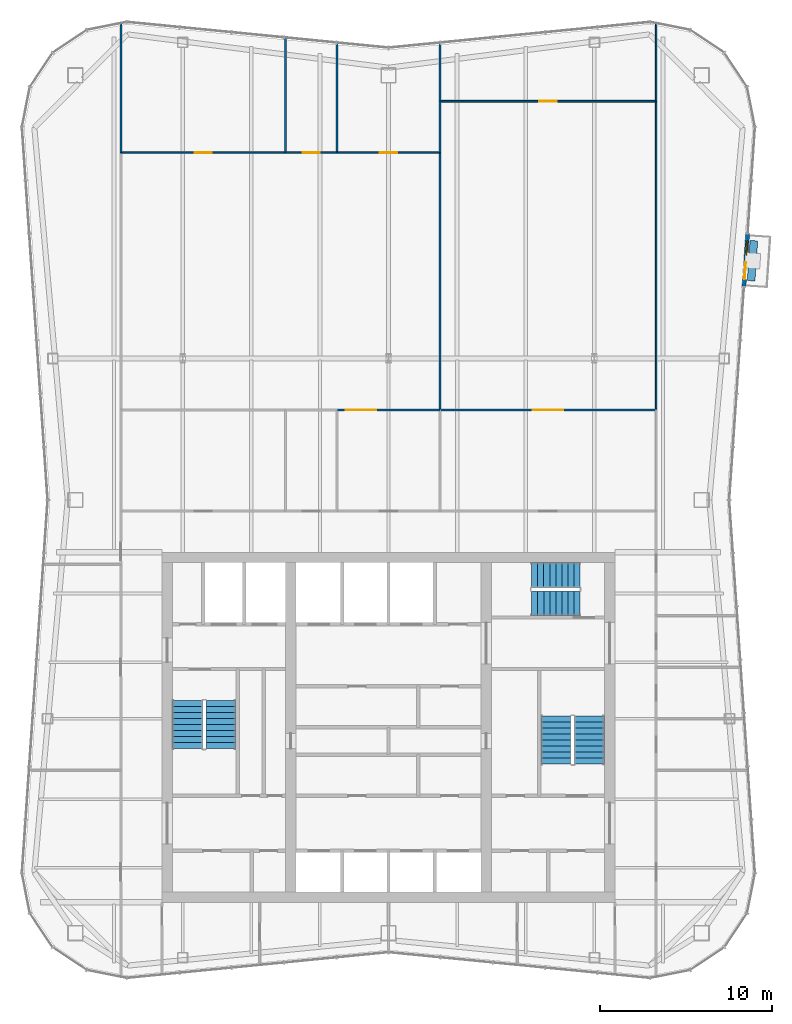
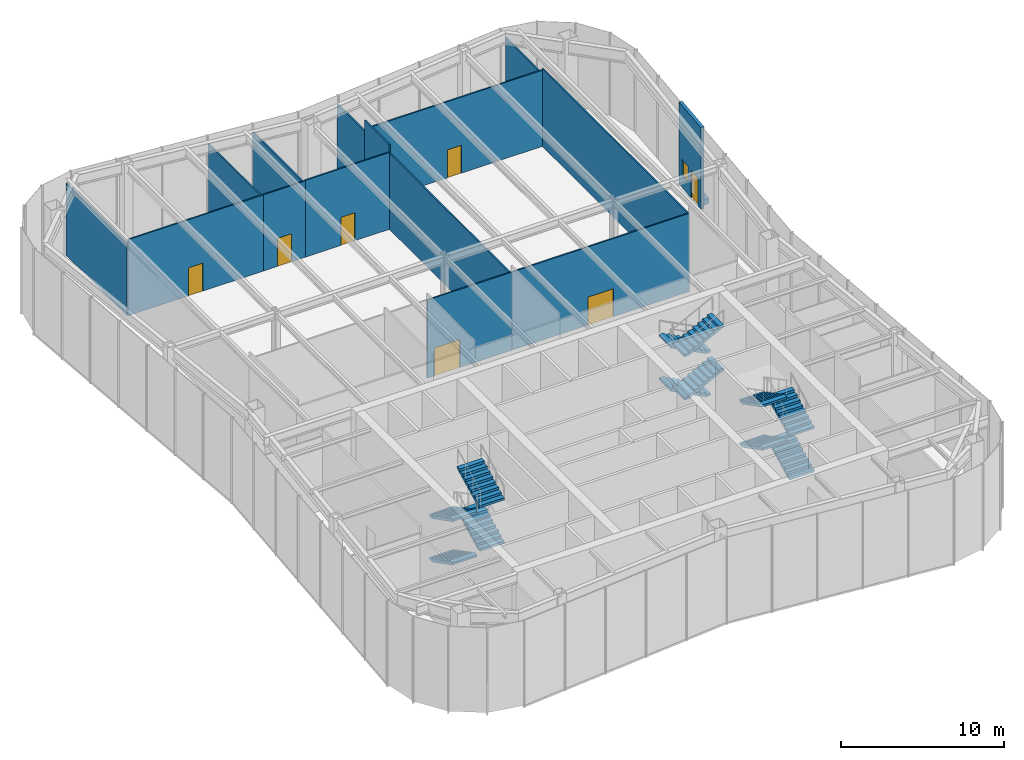
# One storey, part 12 of 15: 16 walls, 12 stair flights, 7 doors, 1 window, 8 openings, 3 elements without a shape of their own.
"""IFC4 building model written with IfcOpenShell, lengths in metres."""

from ifc_helpers import new_model, si_unit, direction, frame, frame_2d, origin, place, context, subcontext, project, spatial, polyline, rectangle, outline, extrude, material, layer, layer_set, type_object, element, fill, aggregate, save


model = new_model("IFC4")

# Units and contexts
model_context = context("Model", 3, precision=1e-05, world=origin(), true_north=direction((0.0, 1.0)))
body_context = subcontext(model_context, "Body", "Model", "MODEL_VIEW")
ifc_project = project(units=[si_unit("LENGTHUNIT", "METRE"), si_unit("AREAUNIT", "SQUARE_METRE"), si_unit("VOLUMEUNIT", "CUBIC_METRE"), si_unit("PLANEANGLEUNIT", "RADIAN"), si_unit("MASSUNIT", "GRAM", prefix="KILO")], contexts=[model_context])

# Site, building, storey
site_placement = place(None, origin())
site = spatial("IfcSite", under=ifc_project, at=site_placement, CompositionType="ELEMENT")
building_placement = place(site_placement, origin())
building = spatial("IfcBuilding", under=site, at=building_placement, Name="Verdant Reach Tower", CompositionType="ELEMENT")
storey_placement = place(building_placement, frame((0.0, 0.0, 334.0)))
storey = spatial("IfcBuildingStorey", under=building, at=storey_placement, Name="L77", CompositionType="ELEMENT", Elevation=334.0)

# Wall, openings, door, window
ifc_material_1 = material(Name="Insulated bronze aluminium panel wall", Category="aluminium")
ifc_layer_1 = layer(ifc_material_1, 0.219970703125)
ifc_layer_set_1 = layer_set([ifc_layer_1], Name="EN-INFILL WALL")
wall_type_1 = type_object("IfcWallType", Name="EN-INFILL WALL", PredefinedType="SOLIDWALL", material=ifc_layer_set_1)
wall_1_placement = place(storey_placement, frame((20.724365234375, 53.70556640625, 0.0), z_axis=(0.0, 0.0, 1.0), x_axis=(0.068802091615, 0.997630328423, 0.0)))
wall_1 = element("IfcWall", 1, at=wall_1_placement, inside=storey, type_object=wall_type_1, Name="External infill wall, balcony bay 1, L77", PredefinedType="SOLIDWALL", context=body_context, shape_type="SweptSolid", body=[
    extrude(rectangle(XDim=3.044677734375, YDim=0.22998046875, at=frame_2d((1.5224609375, 0.0))), origin(), (0.0, 0.0, 1.0), 6.14990234375),
])
opening_1_placement = place(wall_1_placement, frame((0.414794921875, 0.0, 0.0)))
opening_1 = element("IfcOpeningElement", 2, at=opening_1_placement, cuts=wall_1, Name="Opening BD1", PredefinedType="OPENING", context=body_context, shape_type="SweptSolid", body=[
    extrude(rectangle(XDim=1.0, YDim=2.10009765625, at=frame_2d((0.5, 1.050048828125))), frame((0.0, 0.125, 0.0), z_axis=(0.0, -1.0, 0.0), x_axis=(1.0, 0.0, 0.0)), (0.0, 0.0, 1.0), 0.25),
])
opening_2_placement = place(wall_1_placement, frame((1.82958984375, 0.0, 0.89990234375)))
opening_2 = element("IfcOpeningElement", 3, at=opening_2_placement, cuts=wall_1, Name="Opening BW1", PredefinedType="OPENING", context=body_context, shape_type="SweptSolid", body=[
    extrude(rectangle(XDim=0.800048828125, YDim=1.199951171875, at=frame_2d((0.39990234375, 0.60009765625))), frame((0.0, 0.125, 0.0), z_axis=(0.0, -1.0, 0.0), x_axis=(1.0, 0.0, 0.0)), (0.0, 0.0, 1.0), 0.25),
])
ifc_material_2 = material(Name="Aluminium framed glazed door", Category="aluminium")
door_type_1 = type_object("IfcDoorType", Name="EN-DOOR BALCONY", OperationType="NOTDEFINED", PredefinedType="DOOR", material=ifc_material_2)
door_1_placement = place(opening_1_placement, origin())
door_1 = element("IfcDoor", 4, at=door_1_placement, inside=storey, type_object=door_type_1, Name="Balcony door 1, L77", OperationType="SINGLE_SWING_LEFT", OverallHeight=2.10009765625, OverallWidth=1.0, PredefinedType="DOOR", context=body_context, shape_type="SweptSolid", body=[
    extrude(rectangle(XDim=1.0, YDim=2.10009765625, at=frame_2d((0.5, 1.050048828125))), frame((0.0, 0.02490234375, 0.0), z_axis=(0.0, -1.0, 0.0), x_axis=(1.0, 0.0, 0.0)), (0.0, 0.0, 1.0), 0.050048828125),
])
fill(opening_1, door_1)
ifc_material_3 = material(Name="Aluminium framed glazing", Category="aluminium")
window_type = type_object("IfcWindowType", Name="EN-WINDOW BALCONY", PartitioningType="SINGLE_PANEL", PredefinedType="WINDOW", material=ifc_material_3)
window_placement = place(opening_2_placement, origin())
window = element("IfcWindow", 5, at=window_placement, inside=storey, type_object=window_type, Name="Balcony window 1, L77", OverallHeight=1.199951171875, OverallWidth=0.800048828125, PartitioningType="SINGLE_PANEL", PredefinedType="WINDOW", context=body_context, shape_type="SweptSolid", body=[
    extrude(rectangle(XDim=0.800048828125, YDim=1.199951171875, at=frame_2d((0.39990234375, 0.60009765625))), frame((0.0, 0.030029296875, 0.0), z_axis=(0.0, -1.0, 0.0), x_axis=(1.0, 0.0, 0.0)), (0.0, 0.0, 1.0), 0.06005859375),
])
fill(opening_2, window)

# Walls
ifc_material_4 = material(Name="Precast concrete C30/37", Category="concrete")
ifc_layer_2 = layer(ifc_material_4, 0.449951171875)
ifc_layer_set_2 = layer_set([ifc_layer_2], Name="EN-PLANTER")
wall_type_2 = type_object("IfcWallType", Name="EN-PLANTER", PredefinedType="USERDEFINED", material=ifc_layer_set_2)
wall_2_placement = place(storey_placement, frame((21.137451171875, 54.02783203125, 0.0), z_axis=(0.0, 0.0, 1.0), x_axis=(0.068827106414, 0.997628602949, 0.0)))
element("IfcWall", 6, at=wall_2_placement, inside=storey, type_object=wall_type_2, Name="Balcony planter 1, L77", ObjectType="PLANTER", PredefinedType="USERDEFINED", context=body_context, shape_type="SweptSolid", body=[
    extrude(rectangle(XDim=2.3447265625, YDim=0.449951171875, at=frame_2d((1.17236328125, 0.0))), origin(), (0.0, 0.0, 1.0), 0.39990234375),
])
ifc_material_5 = material(Name="Gypsum board on steel studs", Category="steel")
ifc_layer_3 = layer(ifc_material_5, 0.10009765625)
ifc_layer_set_3 = layer_set([ifc_layer_3], Name="FL-W1 Partition 100")
wall_type_3 = type_object("IfcWallType", Name="FL-W1 Partition 100", PredefinedType="PARTITIONING", material=ifc_layer_set_3)
wall_3_placement = place(storey_placement, frame((-15.60009765625, 61.5, 0.0), z_axis=(0.0, 0.0, 1.0), x_axis=(0.0, 1.0, 0.0)))
element("IfcWall", 7, at=wall_3_placement, inside=storey, type_object=wall_type_3, Name="Partition 77.19", PredefinedType="PARTITIONING", context=body_context, shape_type="SweptSolid", body=[
    extrude(rectangle(XDim=7.510498046875, YDim=0.10009765625, at=frame_2d((3.75537109375, 0.0))), origin(), (0.0, 0.0, 1.0), 5.409912109375),
])
wall_4_placement = place(storey_placement, frame((15.60009765625, 64.5, 0.0), z_axis=(0.0, 0.0, 1.0), x_axis=(0.0, -1.0, 0.0)))
element("IfcWall", 8, at=wall_4_placement, inside=storey, type_object=wall_type_3, Name="Partition 77.25", PredefinedType="PARTITIONING", context=body_context, shape_type="SweptSolid", body=[
    extrude(rectangle(XDim=18.0, YDim=0.10009765625, at=frame_2d((9.0, 0.0))), origin(), (0.0, 0.0, 1.0), 5.830078125),
])
wall_5_placement = place(storey_placement, frame((15.60009765625, 69.010498046875, 0.0), z_axis=(0.0, 0.0, 1.0), x_axis=(0.0, -1.0, 0.0)))
element("IfcWall", 9, at=wall_5_placement, inside=storey, type_object=wall_type_3, Name="Partition 77.26", PredefinedType="PARTITIONING", context=body_context, shape_type="SweptSolid", body=[
    extrude(rectangle(XDim=4.510498046875, YDim=0.10009765625, at=frame_2d((2.25537109375, 0.0))), origin(), (0.0, 0.0, 1.0), 5.409912109375),
])

# Wall, opening, door
wall_6_placement = place(storey_placement, frame((-3.00390625, 46.5, 0.0), z_axis=(0.0, 0.0, 1.0), x_axis=(1.0, 0.0, 0.0)))
wall_6 = element("IfcWall", 10, at=wall_6_placement, inside=storey, type_object=wall_type_3, Name="Partition 77.34", PredefinedType="PARTITIONING", context=body_context, shape_type="SweptSolid", body=[
    extrude(rectangle(XDim=6.00390625, YDim=0.10009765625, at=frame_2d((3.001953125, 0.0))), origin(), (0.0, 0.0, 1.0), 5.8701171875),
])
opening_3_placement = place(wall_6_placement, frame((0.501953125, 0.0, 0.0)))
opening_3 = element("IfcOpeningElement", 11, at=opening_3_placement, cuts=wall_6, Name="Opening D5", PredefinedType="OPENING", context=body_context, shape_type="SweptSolid", body=[
    extrude(rectangle(XDim=1.800048828125, YDim=2.10009765625, at=frame_2d((0.89990234375, 1.050048828125))), frame((0.0, 0.06005859375, 0.0), z_axis=(0.0, -1.0, 0.0), x_axis=(1.0, 0.0, 0.0)), (0.0, 0.0, 1.0), 0.1201171875),
])
ifc_material_6 = material(Name="Painted timber door leaves", Category="wood")
door_type_2 = type_object("IfcDoorType", Name="FL-D5 Double door 1800x2100", OperationType="DOUBLE_DOOR_SINGLE_SWING", PredefinedType="DOOR", material=ifc_material_6)
door_2_placement = place(opening_3_placement, origin())
door_2 = element("IfcDoor", 12, at=door_2_placement, inside=storey, type_object=door_type_2, Name="Door 77-017", OperationType="DOUBLE_DOOR_SINGLE_SWING", OverallHeight=2.10009765625, OverallWidth=1.800048828125, PredefinedType="DOOR", context=body_context, shape_type="SweptSolid", body=[
    extrude(rectangle(XDim=1.800048828125, YDim=2.10009765625, at=frame_2d((0.89990234375, 1.050048828125))), frame((0.0, 0.02490234375, 0.0), z_axis=(0.0, -1.0, 0.0), x_axis=(1.0, 0.0, 0.0)), (0.0, 0.0, 1.0), 0.050048828125),
])
fill(opening_3, door_2)

wall_7_placement = place(storey_placement, frame((-15.60009765625, 61.5, 0.0), z_axis=(0.0, 0.0, 1.0), x_axis=(1.0, 0.0, 0.0)))
wall_7 = element("IfcWall", 13, at=wall_7_placement, inside=storey, type_object=wall_type_3, Name="Partition 77.36", PredefinedType="PARTITIONING", context=body_context, shape_type="SweptSolid", body=[
    extrude(rectangle(XDim=9.60009765625, YDim=0.10009765625, at=frame_2d((4.800048828125, 0.0))), origin(), (0.0, 0.0, 1.0), 5.719970703125),
])
opening_4_placement = place(wall_7_placement, frame((4.300048828125, 0.0, 0.0)))
opening_4 = element("IfcOpeningElement", 14, at=opening_4_placement, cuts=wall_7, Name="Opening D3", PredefinedType="OPENING", context=body_context, shape_type="SweptSolid", body=[
    extrude(rectangle(XDim=1.0, YDim=2.10009765625, at=frame_2d((0.5, 1.050048828125))), frame((0.0, 0.06005859375, 0.0), z_axis=(0.0, -1.0, 0.0), x_axis=(1.0, 0.0, 0.0)), (0.0, 0.0, 1.0), 0.1201171875),
])
ifc_material_7 = material(Name="Painted timber door leaf", Category="wood")
door_type_3 = type_object("IfcDoorType", Name="FL-D3 Door 1000x2100", OperationType="NOTDEFINED", PredefinedType="DOOR", material=ifc_material_7)
door_3_placement = place(opening_4_placement, origin())
door_3 = element("IfcDoor", 15, at=door_3_placement, inside=storey, type_object=door_type_3, Name="Door 77-018", OperationType="SINGLE_SWING_RIGHT", OverallHeight=2.10009765625, OverallWidth=1.0, PredefinedType="DOOR", context=body_context, shape_type="SweptSolid", body=[
    extrude(rectangle(XDim=1.0, YDim=2.10009765625, at=frame_2d((0.5, 1.050048828125))), frame((0.0, 0.02490234375, 0.0), z_axis=(0.0, -1.0, 0.0), x_axis=(1.0, 0.0, 0.0)), (0.0, 0.0, 1.0), 0.050048828125),
])
fill(opening_4, door_3)

wall_8_placement = place(storey_placement, frame((-6.0, 61.5, 0.0), z_axis=(0.0, 0.0, 1.0), x_axis=(1.0, 0.0, 0.0)))
wall_8 = element("IfcWall", 16, at=wall_8_placement, inside=storey, type_object=wall_type_3, Name="Partition 77.37", PredefinedType="PARTITIONING", context=body_context, shape_type="SweptSolid", body=[
    extrude(rectangle(XDim=3.0, YDim=0.10009765625, at=frame_2d((1.5, 0.0))), origin(), (0.0, 0.0, 1.0), 5.719970703125),
])
opening_5_placement = place(wall_8_placement, frame((1.0, 0.0, 0.0)))
opening_5 = element("IfcOpeningElement", 17, at=opening_5_placement, cuts=wall_8, Name="Opening D3", PredefinedType="OPENING", context=body_context, shape_type="SweptSolid", body=[
    extrude(rectangle(XDim=1.0, YDim=2.10009765625, at=frame_2d((0.5, 1.050048828125))), frame((0.0, 0.06005859375, 0.0), z_axis=(0.0, -1.0, 0.0), x_axis=(1.0, 0.0, 0.0)), (0.0, 0.0, 1.0), 0.1201171875),
])
door_4_placement = place(opening_5_placement, origin())
door_4 = element("IfcDoor", 18, at=door_4_placement, inside=storey, type_object=door_type_3, Name="Door 77-019", OperationType="SINGLE_SWING_LEFT", OverallHeight=2.10009765625, OverallWidth=1.0, PredefinedType="DOOR", context=body_context, shape_type="SweptSolid", body=[
    extrude(rectangle(XDim=1.0, YDim=2.10009765625, at=frame_2d((0.5, 1.050048828125))), frame((0.0, 0.02490234375, 0.0), z_axis=(0.0, -1.0, 0.0), x_axis=(1.0, 0.0, 0.0)), (0.0, 0.0, 1.0), 0.050048828125),
])
fill(opening_5, door_4)

wall_9_placement = place(storey_placement, frame((-3.0, 61.5, 0.0), z_axis=(0.0, 0.0, 1.0), x_axis=(1.0, 0.0, 0.0)))
wall_9 = element("IfcWall", 19, at=wall_9_placement, inside=storey, type_object=wall_type_3, Name="Partition 77.38", PredefinedType="PARTITIONING", context=body_context, shape_type="SweptSolid", body=[
    extrude(rectangle(XDim=6.0, YDim=0.10009765625, at=frame_2d((3.0, 0.0))), origin(), (0.0, 0.0, 1.0), 5.77001953125),
])
opening_6_placement = place(wall_9_placement, frame((2.5, 0.0, 0.0)))
opening_6 = element("IfcOpeningElement", 20, at=opening_6_placement, cuts=wall_9, Name="Opening D3", PredefinedType="OPENING", context=body_context, shape_type="SweptSolid", body=[
    extrude(rectangle(XDim=1.0, YDim=2.10009765625, at=frame_2d((0.5, 1.050048828125))), frame((0.0, 0.06005859375, 0.0), z_axis=(0.0, -1.0, 0.0), x_axis=(1.0, 0.0, 0.0)), (0.0, 0.0, 1.0), 0.1201171875),
])
door_5_placement = place(opening_6_placement, origin())
door_5 = element("IfcDoor", 21, at=door_5_placement, inside=storey, type_object=door_type_3, Name="Door 77-020", OperationType="SINGLE_SWING_RIGHT", OverallHeight=2.10009765625, OverallWidth=1.0, PredefinedType="DOOR", context=body_context, shape_type="SweptSolid", body=[
    extrude(rectangle(XDim=1.0, YDim=2.10009765625, at=frame_2d((0.5, 1.050048828125))), frame((0.0, 0.02490234375, 0.0), z_axis=(0.0, -1.0, 0.0), x_axis=(1.0, 0.0, 0.0)), (0.0, 0.0, 1.0), 0.050048828125),
])
fill(opening_6, door_5)

# Walls
wall_10_placement = place(storey_placement, frame((3.0, 46.5, 0.0), z_axis=(0.0, 0.0, 1.0), x_axis=(0.0, 1.0, 0.0)))
element("IfcWall", 22, at=wall_10_placement, inside=storey, type_object=wall_type_3, Name="Partition 77.39", PredefinedType="PARTITIONING", context=body_context, shape_type="SweptSolid", body=[
    extrude(rectangle(XDim=15.00390625, YDim=0.10009765625, at=frame_2d((7.501953125, 0.0))), origin(), (0.0, 0.0, 1.0), 5.719970703125),
])
wall_11_placement = place(storey_placement, frame((-6.0, 61.5, 0.0), z_axis=(0.0, 0.0, 1.0), x_axis=(0.0, 1.0, 0.0)))
element("IfcWall", 23, at=wall_11_placement, inside=storey, type_object=wall_type_3, Name="Partition 77.40", PredefinedType="PARTITIONING", context=body_context, shape_type="SweptSolid", body=[
    extrude(rectangle(XDim=6.670166015625, YDim=0.10009765625, at=frame_2d((3.3349609375, 0.0))), origin(), (0.0, 0.0, 1.0), 5.52001953125),
])
wall_12_placement = place(storey_placement, frame((-3.0, 61.5, 0.0), z_axis=(0.0, 0.0, 1.0), x_axis=(0.0, 1.0, 0.0)))
element("IfcWall", 24, at=wall_12_placement, inside=storey, type_object=wall_type_3, Name="Partition 77.41", PredefinedType="PARTITIONING", context=body_context, shape_type="SweptSolid", body=[
    extrude(rectangle(XDim=6.375, YDim=0.10009765625, at=frame_2d((3.1875, 0.0))), origin(), (0.0, 0.0, 1.0), 5.52001953125),
])
wall_13_placement = place(storey_placement, frame((3.0, 61.49609375, 0.0), z_axis=(0.0, 0.0, 1.0), x_axis=(0.0, 1.0, 0.0)))
element("IfcWall", 25, at=wall_13_placement, inside=storey, type_object=wall_type_3, Name="Partition 77.42", PredefinedType="PARTITIONING", context=body_context, shape_type="SweptSolid", body=[
    extrude(rectangle(XDim=3.00390625, YDim=0.10009765625, at=frame_2d((1.501953125, 0.0))), origin(), (0.0, 0.0, 1.0), 6.35009765625),
])
wall_14_placement = place(storey_placement, frame((3.0, 64.5, 0.0), z_axis=(0.0, 0.0, 1.0), x_axis=(0.0, 1.0, 0.0)))
element("IfcWall", 26, at=wall_14_placement, inside=storey, type_object=wall_type_3, Name="Partition 77.43", PredefinedType="PARTITIONING", context=body_context, shape_type="SweptSolid", body=[
    extrude(rectangle(XDim=3.375, YDim=0.10009765625, at=frame_2d((1.6875, 0.0))), origin(), (0.0, 0.0, 1.0), 5.52001953125),
])

# Wall, opening, door
wall_15_placement = place(storey_placement, frame((3.0, 46.5, 0.0), z_axis=(0.0, 0.0, 1.0), x_axis=(1.0, 0.0, 0.0)))
wall_15 = element("IfcWall", 27, at=wall_15_placement, inside=storey, type_object=wall_type_3, Name="Partition 77.44", PredefinedType="PARTITIONING", context=body_context, shape_type="SweptSolid", body=[
    extrude(rectangle(XDim=12.60009765625, YDim=0.10009765625, at=frame_2d((6.300048828125, 0.0))), origin(), (0.0, 0.0, 1.0), 5.8701171875),
])
opening_7_placement = place(wall_15_placement, frame((5.39990234375, 0.0, 0.0)))
opening_7 = element("IfcOpeningElement", 28, at=opening_7_placement, cuts=wall_15, Name="Opening D5", PredefinedType="OPENING", context=body_context, shape_type="SweptSolid", body=[
    extrude(rectangle(XDim=1.800048828125, YDim=2.10009765625, at=frame_2d((0.89990234375, 1.050048828125))), frame((0.0, 0.06005859375, 0.0), z_axis=(0.0, -1.0, 0.0), x_axis=(1.0, 0.0, 0.0)), (0.0, 0.0, 1.0), 0.1201171875),
])
door_6_placement = place(opening_7_placement, origin())
door_6 = element("IfcDoor", 29, at=door_6_placement, inside=storey, type_object=door_type_2, Name="Door 77-021", OperationType="DOUBLE_DOOR_SINGLE_SWING", OverallHeight=2.10009765625, OverallWidth=1.800048828125, PredefinedType="DOOR", context=body_context, shape_type="SweptSolid", body=[
    extrude(rectangle(XDim=1.800048828125, YDim=2.10009765625, at=frame_2d((0.89990234375, 1.050048828125))), frame((0.0, 0.02490234375, 0.0), z_axis=(0.0, -1.0, 0.0), x_axis=(1.0, 0.0, 0.0)), (0.0, 0.0, 1.0), 0.050048828125),
])
fill(opening_7, door_6)

wall_16_placement = place(storey_placement, frame((3.0, 64.5, 0.0), z_axis=(0.0, 0.0, 1.0), x_axis=(1.0, 0.0, 0.0)))
wall_16 = element("IfcWall", 30, at=wall_16_placement, inside=storey, type_object=wall_type_3, Name="Partition 77.45", PredefinedType="PARTITIONING", context=body_context, shape_type="SweptSolid", body=[
    extrude(rectangle(XDim=12.60009765625, YDim=0.10009765625, at=frame_2d((6.300048828125, 0.0))), origin(), (0.0, 0.0, 1.0), 5.719970703125),
])
opening_8_placement = place(wall_16_placement, frame((5.800048828125, 0.0, 0.0)))
opening_8 = element("IfcOpeningElement", 31, at=opening_8_placement, cuts=wall_16, Name="Opening D3", PredefinedType="OPENING", context=body_context, shape_type="SweptSolid", body=[
    extrude(rectangle(XDim=1.0, YDim=2.10009765625, at=frame_2d((0.5, 1.050048828125))), frame((0.0, 0.06005859375, 0.0), z_axis=(0.0, -1.0, 0.0), x_axis=(1.0, 0.0, 0.0)), (0.0, 0.0, 1.0), 0.1201171875),
])
door_7_placement = place(opening_8_placement, origin())
door_7 = element("IfcDoor", 32, at=door_7_placement, inside=storey, type_object=door_type_3, Name="Door 77-022", OperationType="SINGLE_SWING_RIGHT", OverallHeight=2.10009765625, OverallWidth=1.0, PredefinedType="DOOR", context=body_context, shape_type="SweptSolid", body=[
    extrude(rectangle(XDim=1.0, YDim=2.10009765625, at=frame_2d((0.5, 1.050048828125))), frame((0.0, 0.02490234375, 0.0), z_axis=(0.0, -1.0, 0.0), x_axis=(1.0, 0.0, 0.0)), (0.0, 0.0, 1.0), 0.050048828125),
])
fill(opening_8, door_7)

# Stair, stair flights
ifc_material_8 = material(Name="Concrete C40/50", Category="concrete")
stair_type = type_object("IfcStairType", Name="CO-STAIR", PredefinedType="HALF_TURN_STAIR", material=ifc_material_8)
stair_1_placement = place(storey_placement, origin())
stair_1 = element("IfcStair", 33, at=stair_1_placement, inside=storey, type_object=stair_type, Name="L77 Exit stair 1", PredefinedType="HALF_TURN_STAIR")
stair_flight_type = type_object("IfcStairFlightType", Name="CO-STAIR-FLIGHT", PredefinedType="STRAIGHT", material=ifc_material_8)
stair_flight_1_placement = place(storey_placement, frame((-11.72509765625, 29.550048828125, 0.0), z_axis=(0.0, 0.0, 1.0), x_axis=(0.0, -1.0, 0.0)))
stair_flight_1 = element("IfcStairFlight", 34, at=stair_flight_1_placement, type_object=stair_flight_type, Name="ST-1 flight 1", NumberOfRisers=9, NumberOfTreads=8, PredefinedType="STRAIGHT", RiserHeight=0.180555556, TreadLength=0.35, context=body_context, shape_type="SweptSolid", body=[
    extrude(outline(polyline([(0.0, 0.0), (0.0, 0.1806640625), (0.35009765625, 0.1806640625), (0.35009765625, 0.361083984375), (0.699951171875, 0.361083984375), (0.699951171875, 0.541748046875), (1.050048828125, 0.541748046875), (1.050048828125, 0.72216796875), (1.39990234375, 0.72216796875), (1.39990234375, 0.90283203125), (1.75, 0.90283203125), (1.75, 1.083251953125), (2.10009765625, 1.083251953125), (2.10009765625, 1.263916015625), (2.449951171875, 1.263916015625), (2.449951171875, 1.4443359375), (2.800048828125, 1.4443359375), (2.800048828125, 1.625), (2.800048828125, 1.27587890625), (0.326904296875, 0.0), (0.0, 0.0)])), frame((0.0, 0.875, 0.0), z_axis=(0.0, -1.0, 0.0), x_axis=(1.0, 0.0, 0.0)), (0.0, 0.0, 1.0), 1.75),
])
stair_flight_2_placement = place(storey_placement, frame((-9.77490234375, 26.75, 1.625), z_axis=(0.0, 0.0, 1.0), x_axis=(0.0, 1.0, 0.0)))
stair_flight_2 = element("IfcStairFlight", 35, at=stair_flight_2_placement, type_object=stair_flight_type, Name="ST-1 flight 2", NumberOfRisers=9, NumberOfTreads=8, PredefinedType="STRAIGHT", RiserHeight=0.180555556, TreadLength=0.35, context=body_context, shape_type="SweptSolid", body=[
    extrude(outline(polyline([(0.0, 0.0), (0.0, 0.1806640625), (0.35009765625, 0.1806640625), (0.35009765625, 0.361083984375), (0.699951171875, 0.361083984375), (0.699951171875, 0.541748046875), (1.050048828125, 0.541748046875), (1.050048828125, 0.72216796875), (1.39990234375, 0.72216796875), (1.39990234375, 0.90283203125), (1.75, 0.90283203125), (1.75, 1.083251953125), (2.10009765625, 1.083251953125), (2.10009765625, 1.263916015625), (2.449951171875, 1.263916015625), (2.449951171875, 1.4443359375), (2.800048828125, 1.4443359375), (2.800048828125, 1.625), (2.800048828125, 1.27587890625), (0.326904296875, 0.0), (0.0, 0.0)])), frame((0.0, 0.875, 0.0), z_axis=(0.0, -1.0, 0.0), x_axis=(1.0, 0.0, 0.0)), (0.0, 0.0, 1.0), 1.75),
])
stair_flight_3_placement = place(storey_placement, frame((-11.72509765625, 29.550048828125, 3.25), z_axis=(0.0, 0.0, 1.0), x_axis=(0.0, -1.0, 0.0)))
stair_flight_3 = element("IfcStairFlight", 36, at=stair_flight_3_placement, type_object=stair_flight_type, Name="ST-1 flight 3", NumberOfRisers=9, NumberOfTreads=8, PredefinedType="STRAIGHT", RiserHeight=0.180555556, TreadLength=0.35, context=body_context, shape_type="SweptSolid", body=[
    extrude(outline(polyline([(0.0, 0.0), (0.0, 0.1806640625), (0.35009765625, 0.1806640625), (0.35009765625, 0.361083984375), (0.699951171875, 0.361083984375), (0.699951171875, 0.541748046875), (1.050048828125, 0.541748046875), (1.050048828125, 0.72216796875), (1.39990234375, 0.72216796875), (1.39990234375, 0.90283203125), (1.75, 0.90283203125), (1.75, 1.083251953125), (2.10009765625, 1.083251953125), (2.10009765625, 1.263916015625), (2.449951171875, 1.263916015625), (2.449951171875, 1.4443359375), (2.800048828125, 1.4443359375), (2.800048828125, 1.625), (2.800048828125, 1.27587890625), (0.326904296875, 0.0), (0.0, 0.0)])), frame((0.0, 0.875, 0.0), z_axis=(0.0, -1.0, 0.0), x_axis=(1.0, 0.0, 0.0)), (0.0, 0.0, 1.0), 1.75),
])
stair_flight_4_placement = place(storey_placement, frame((-9.77490234375, 26.75, 4.875), z_axis=(0.0, 0.0, 1.0), x_axis=(0.0, 1.0, 0.0)))
stair_flight_4 = element("IfcStairFlight", 37, at=stair_flight_4_placement, type_object=stair_flight_type, Name="ST-1 flight 4", NumberOfRisers=9, NumberOfTreads=8, PredefinedType="STRAIGHT", RiserHeight=0.180555556, TreadLength=0.35, context=body_context, shape_type="SweptSolid", body=[
    extrude(outline(polyline([(0.0, 0.0), (0.0, 0.1806640625), (0.35009765625, 0.1806640625), (0.35009765625, 0.361083984375), (0.699951171875, 0.361083984375), (0.699951171875, 0.541748046875), (1.050048828125, 0.541748046875), (1.050048828125, 0.72216796875), (1.39990234375, 0.72216796875), (1.39990234375, 0.90283203125), (1.75, 0.90283203125), (1.75, 1.083251953125), (2.10009765625, 1.083251953125), (2.10009765625, 1.263916015625), (2.449951171875, 1.263916015625), (2.449951171875, 1.4443359375), (2.800048828125, 1.4443359375), (2.800048828125, 1.625), (2.800048828125, 1.27587890625), (0.326904296875, 0.0), (0.0, 0.0)])), frame((0.0, 0.875, 0.0), z_axis=(0.0, -1.0, 0.0), x_axis=(1.0, 0.0, 0.0)), (0.0, 0.0, 1.0), 1.75),
])
aggregate(stair_1, [stair_flight_1, stair_flight_2, stair_flight_3, stair_flight_4])

stair_2_placement = place(storey_placement, origin())
stair_2 = element("IfcStair", 38, at=stair_2_placement, inside=storey, type_object=stair_type, Name="L77 Exit stair 2", PredefinedType="HALF_TURN_STAIR")
stair_flight_5_placement = place(storey_placement, frame((11.72509765625, 25.85009765625, 0.0), z_axis=(0.0, 0.0, 1.0), x_axis=(0.0, 1.0, 0.0)))
stair_flight_5 = element("IfcStairFlight", 39, at=stair_flight_5_placement, type_object=stair_flight_type, Name="ST-2 flight 1", NumberOfRisers=9, NumberOfTreads=8, PredefinedType="STRAIGHT", RiserHeight=0.180555556, TreadLength=0.35, context=body_context, shape_type="SweptSolid", body=[
    extrude(outline(polyline([(0.0, 0.0), (0.0, 0.1806640625), (0.35009765625, 0.1806640625), (0.35009765625, 0.361083984375), (0.699951171875, 0.361083984375), (0.699951171875, 0.541748046875), (1.050048828125, 0.541748046875), (1.050048828125, 0.72216796875), (1.39990234375, 0.72216796875), (1.39990234375, 0.90283203125), (1.75, 0.90283203125), (1.75, 1.083251953125), (2.10009765625, 1.083251953125), (2.10009765625, 1.263916015625), (2.449951171875, 1.263916015625), (2.449951171875, 1.4443359375), (2.800048828125, 1.4443359375), (2.800048828125, 1.625), (2.800048828125, 1.27587890625), (0.326904296875, 0.0), (0.0, 0.0)])), frame((0.0, 0.875, 0.0), z_axis=(0.0, -1.0, 0.0), x_axis=(1.0, 0.0, 0.0)), (0.0, 0.0, 1.0), 1.75),
])
stair_flight_6_placement = place(storey_placement, frame((9.77490234375, 28.64990234375, 1.625), z_axis=(0.0, 0.0, 1.0), x_axis=(0.0, -1.0, 0.0)))
stair_flight_6 = element("IfcStairFlight", 40, at=stair_flight_6_placement, type_object=stair_flight_type, Name="ST-2 flight 2", NumberOfRisers=9, NumberOfTreads=8, PredefinedType="STRAIGHT", RiserHeight=0.180555556, TreadLength=0.35, context=body_context, shape_type="SweptSolid", body=[
    extrude(outline(polyline([(0.0, 0.0), (0.0, 0.1806640625), (0.35009765625, 0.1806640625), (0.35009765625, 0.361083984375), (0.699951171875, 0.361083984375), (0.699951171875, 0.541748046875), (1.050048828125, 0.541748046875), (1.050048828125, 0.72216796875), (1.39990234375, 0.72216796875), (1.39990234375, 0.90283203125), (1.75, 0.90283203125), (1.75, 1.083251953125), (2.10009765625, 1.083251953125), (2.10009765625, 1.263916015625), (2.449951171875, 1.263916015625), (2.449951171875, 1.4443359375), (2.800048828125, 1.4443359375), (2.800048828125, 1.625), (2.800048828125, 1.27587890625), (0.326904296875, 0.0), (0.0, 0.0)])), frame((0.0, 0.875, 0.0), z_axis=(0.0, -1.0, 0.0), x_axis=(1.0, 0.0, 0.0)), (0.0, 0.0, 1.0), 1.75),
])
stair_flight_7_placement = place(storey_placement, frame((11.72509765625, 25.85009765625, 3.25), z_axis=(0.0, 0.0, 1.0), x_axis=(0.0, 1.0, 0.0)))
stair_flight_7 = element("IfcStairFlight", 41, at=stair_flight_7_placement, type_object=stair_flight_type, Name="ST-2 flight 3", NumberOfRisers=9, NumberOfTreads=8, PredefinedType="STRAIGHT", RiserHeight=0.180555556, TreadLength=0.35, context=body_context, shape_type="SweptSolid", body=[
    extrude(outline(polyline([(0.0, 0.0), (0.0, 0.1806640625), (0.35009765625, 0.1806640625), (0.35009765625, 0.361083984375), (0.699951171875, 0.361083984375), (0.699951171875, 0.541748046875), (1.050048828125, 0.541748046875), (1.050048828125, 0.72216796875), (1.39990234375, 0.72216796875), (1.39990234375, 0.90283203125), (1.75, 0.90283203125), (1.75, 1.083251953125), (2.10009765625, 1.083251953125), (2.10009765625, 1.263916015625), (2.449951171875, 1.263916015625), (2.449951171875, 1.4443359375), (2.800048828125, 1.4443359375), (2.800048828125, 1.625), (2.800048828125, 1.27587890625), (0.326904296875, 0.0), (0.0, 0.0)])), frame((0.0, 0.875, 0.0), z_axis=(0.0, -1.0, 0.0), x_axis=(1.0, 0.0, 0.0)), (0.0, 0.0, 1.0), 1.75),
])
stair_flight_8_placement = place(storey_placement, frame((9.77490234375, 28.64990234375, 4.875), z_axis=(0.0, 0.0, 1.0), x_axis=(0.0, -1.0, 0.0)))
stair_flight_8 = element("IfcStairFlight", 42, at=stair_flight_8_placement, type_object=stair_flight_type, Name="ST-2 flight 4", NumberOfRisers=9, NumberOfTreads=8, PredefinedType="STRAIGHT", RiserHeight=0.180555556, TreadLength=0.35, context=body_context, shape_type="SweptSolid", body=[
    extrude(outline(polyline([(0.0, 0.0), (0.0, 0.1806640625), (0.35009765625, 0.1806640625), (0.35009765625, 0.361083984375), (0.699951171875, 0.361083984375), (0.699951171875, 0.541748046875), (1.050048828125, 0.541748046875), (1.050048828125, 0.72216796875), (1.39990234375, 0.72216796875), (1.39990234375, 0.90283203125), (1.75, 0.90283203125), (1.75, 1.083251953125), (2.10009765625, 1.083251953125), (2.10009765625, 1.263916015625), (2.449951171875, 1.263916015625), (2.449951171875, 1.4443359375), (2.800048828125, 1.4443359375), (2.800048828125, 1.625), (2.800048828125, 1.27587890625), (0.326904296875, 0.0), (0.0, 0.0)])), frame((0.0, 0.875, 0.0), z_axis=(0.0, -1.0, 0.0), x_axis=(1.0, 0.0, 0.0)), (0.0, 0.0, 1.0), 1.75),
])
aggregate(stair_2, [stair_flight_5, stair_flight_6, stair_flight_7, stair_flight_8])

stair_3_placement = place(storey_placement, origin())
stair_3 = element("IfcStair", 43, at=stair_3_placement, inside=storey, type_object=stair_type, Name="L77 Exit stair 3", PredefinedType="HALF_TURN_STAIR")
stair_flight_9_placement = place(storey_placement, frame((11.14990234375, 36.875, 0.0), z_axis=(0.0, 0.0, 1.0), x_axis=(-1.0, 0.0, 0.0)))
stair_flight_9 = element("IfcStairFlight", 44, at=stair_flight_9_placement, type_object=stair_flight_type, Name="ST-3 flight 1", NumberOfRisers=9, NumberOfTreads=8, PredefinedType="STRAIGHT", RiserHeight=0.180555556, TreadLength=0.35, context=body_context, shape_type="SweptSolid", body=[
    extrude(outline(polyline([(0.0, 0.0), (0.0, 0.1806640625), (0.35009765625, 0.1806640625), (0.35009765625, 0.361083984375), (0.699951171875, 0.361083984375), (0.699951171875, 0.541748046875), (1.050048828125, 0.541748046875), (1.050048828125, 0.72216796875), (1.39990234375, 0.72216796875), (1.39990234375, 0.90283203125), (1.75, 0.90283203125), (1.75, 1.083251953125), (2.10009765625, 1.083251953125), (2.10009765625, 1.263916015625), (2.449951171875, 1.263916015625), (2.449951171875, 1.4443359375), (2.800048828125, 1.4443359375), (2.800048828125, 1.625), (2.800048828125, 1.27587890625), (0.326904296875, 0.0), (0.0, 0.0)])), frame((0.0, 0.72509765625, 0.0), z_axis=(0.0, -1.0, 0.0), x_axis=(1.0, 0.0, 0.0)), (0.0, 0.0, 1.0), 1.449951171875),
])
stair_flight_10_placement = place(storey_placement, frame((8.35009765625, 35.22509765625, 1.625), z_axis=(0.0, 0.0, 1.0), x_axis=(1.0, 0.0, 0.0)))
stair_flight_10 = element("IfcStairFlight", 45, at=stair_flight_10_placement, type_object=stair_flight_type, Name="ST-3 flight 2", NumberOfRisers=9, NumberOfTreads=8, PredefinedType="STRAIGHT", RiserHeight=0.180555556, TreadLength=0.35, context=body_context, shape_type="SweptSolid", body=[
    extrude(outline(polyline([(0.0, 0.0), (0.0, 0.1806640625), (0.35009765625, 0.1806640625), (0.35009765625, 0.361083984375), (0.699951171875, 0.361083984375), (0.699951171875, 0.541748046875), (1.050048828125, 0.541748046875), (1.050048828125, 0.72216796875), (1.39990234375, 0.72216796875), (1.39990234375, 0.90283203125), (1.75, 0.90283203125), (1.75, 1.083251953125), (2.10009765625, 1.083251953125), (2.10009765625, 1.263916015625), (2.449951171875, 1.263916015625), (2.449951171875, 1.4443359375), (2.800048828125, 1.4443359375), (2.800048828125, 1.625), (2.800048828125, 1.27587890625), (0.326904296875, 0.0), (0.0, 0.0)])), frame((0.0, 0.72509765625, 0.0), z_axis=(0.0, -1.0, 0.0), x_axis=(1.0, 0.0, 0.0)), (0.0, 0.0, 1.0), 1.449951171875),
])
stair_flight_11_placement = place(storey_placement, frame((11.14990234375, 36.875, 3.25), z_axis=(0.0, 0.0, 1.0), x_axis=(-1.0, 0.0, 0.0)))
stair_flight_11 = element("IfcStairFlight", 46, at=stair_flight_11_placement, type_object=stair_flight_type, Name="ST-3 flight 3", NumberOfRisers=9, NumberOfTreads=8, PredefinedType="STRAIGHT", RiserHeight=0.180555556, TreadLength=0.35, context=body_context, shape_type="SweptSolid", body=[
    extrude(outline(polyline([(0.0, 0.0), (0.0, 0.1806640625), (0.35009765625, 0.1806640625), (0.35009765625, 0.361083984375), (0.699951171875, 0.361083984375), (0.699951171875, 0.541748046875), (1.050048828125, 0.541748046875), (1.050048828125, 0.72216796875), (1.39990234375, 0.72216796875), (1.39990234375, 0.90283203125), (1.75, 0.90283203125), (1.75, 1.083251953125), (2.10009765625, 1.083251953125), (2.10009765625, 1.263916015625), (2.449951171875, 1.263916015625), (2.449951171875, 1.4443359375), (2.800048828125, 1.4443359375), (2.800048828125, 1.625), (2.800048828125, 1.27587890625), (0.326904296875, 0.0), (0.0, 0.0)])), frame((0.0, 0.72509765625, 0.0), z_axis=(0.0, -1.0, 0.0), x_axis=(1.0, 0.0, 0.0)), (0.0, 0.0, 1.0), 1.449951171875),
])
stair_flight_12_placement = place(storey_placement, frame((8.35009765625, 35.22509765625, 4.875), z_axis=(0.0, 0.0, 1.0), x_axis=(1.0, 0.0, 0.0)))
stair_flight_12 = element("IfcStairFlight", 47, at=stair_flight_12_placement, type_object=stair_flight_type, Name="ST-3 flight 4", NumberOfRisers=9, NumberOfTreads=8, PredefinedType="STRAIGHT", RiserHeight=0.180555556, TreadLength=0.35, context=body_context, shape_type="SweptSolid", body=[
    extrude(outline(polyline([(0.0, 0.0), (0.0, 0.1806640625), (0.35009765625, 0.1806640625), (0.35009765625, 0.361083984375), (0.699951171875, 0.361083984375), (0.699951171875, 0.541748046875), (1.050048828125, 0.541748046875), (1.050048828125, 0.72216796875), (1.39990234375, 0.72216796875), (1.39990234375, 0.90283203125), (1.75, 0.90283203125), (1.75, 1.083251953125), (2.10009765625, 1.083251953125), (2.10009765625, 1.263916015625), (2.449951171875, 1.263916015625), (2.449951171875, 1.4443359375), (2.800048828125, 1.4443359375), (2.800048828125, 1.625), (2.800048828125, 1.27587890625), (0.326904296875, 0.0), (0.0, 0.0)])), frame((0.0, 0.72509765625, 0.0), z_axis=(0.0, -1.0, 0.0), x_axis=(1.0, 0.0, 0.0)), (0.0, 0.0, 1.0), 1.449951171875),
])
aggregate(stair_3, [stair_flight_9, stair_flight_10, stair_flight_11, stair_flight_12])

save(model, "model.ifc")
